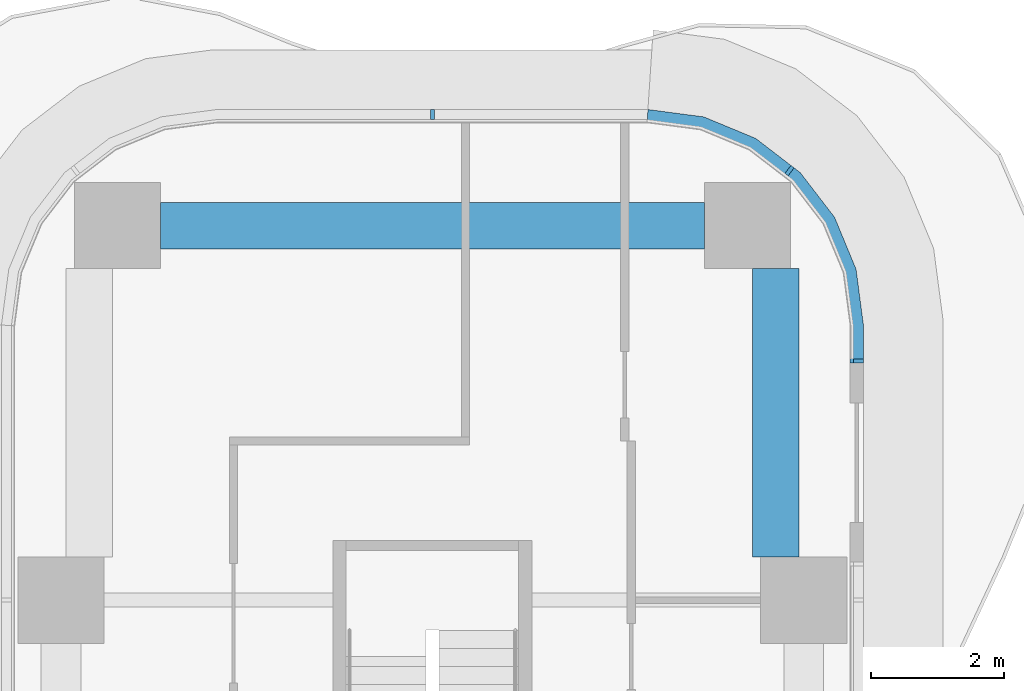
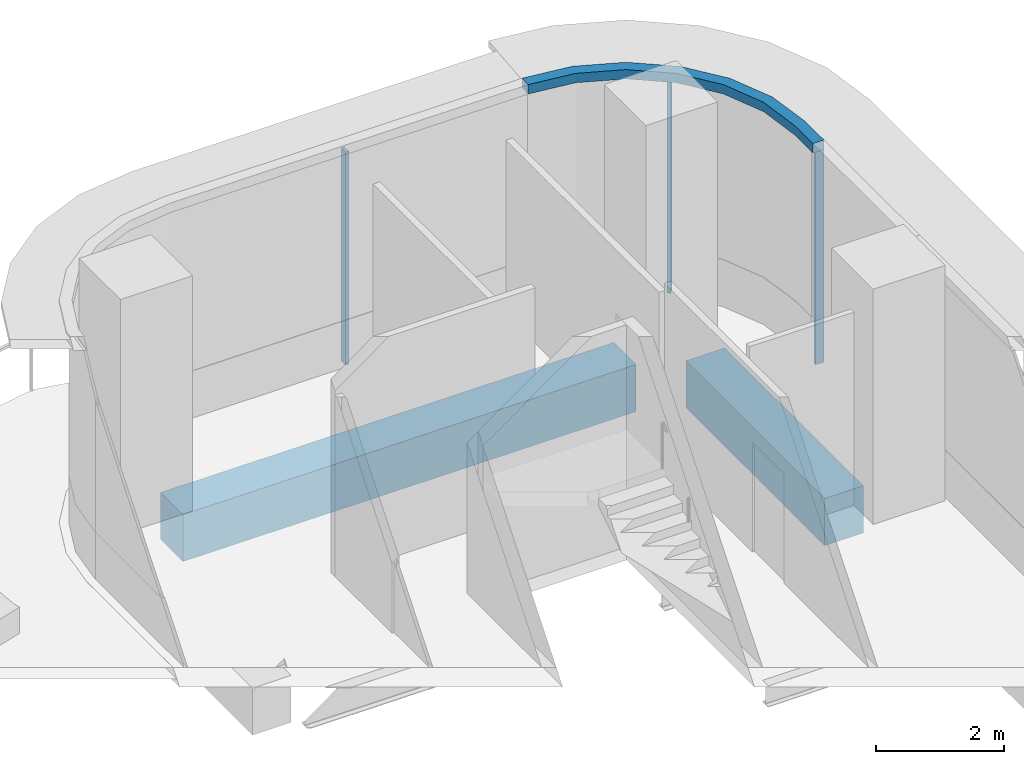
# One storey, part 11 of 20: 4 members, 2 beams, 2 elements without a shape of their own.
"""IFC4 building model written with IfcOpenShell, lengths in metres."""

from ifc_helpers import new_model, si_unit, direction, frame, origin, origin_2d, place, context, subcontext, project, spatial, polyline, rectangle, outline, extrude, source, transform, mapped, material, layer, layer_set, material_profile, profile_set, type_object, element, aggregate, save


model = new_model("IFC4")

# Units and contexts
model_context = context("Model", 3, precision=1e-05, world=origin(), true_north=direction((0.0, 1.0)))
body_context = subcontext(model_context, "Body", "Model", "MODEL_VIEW")
ifc_project = project(units=[si_unit("LENGTHUNIT", "METRE"), si_unit("AREAUNIT", "SQUARE_METRE"), si_unit("VOLUMEUNIT", "CUBIC_METRE"), si_unit("PLANEANGLEUNIT", "RADIAN"), si_unit("MASSUNIT", "GRAM", prefix="KILO")], contexts=[model_context])

# Site, building, storey
site_placement = place(None, origin())
site = spatial("IfcSite", under=ifc_project, at=site_placement, CompositionType="ELEMENT")
building_placement = place(site_placement, origin())
building = spatial("IfcBuilding", under=site, at=building_placement, Name="Trellis Farm Tower", CompositionType="ELEMENT")
storey_placement = place(building_placement, frame((0.0, 0.0, 129.0)))
storey = spatial("IfcBuildingStorey", under=building, at=storey_placement, Name="L27", CompositionType="ELEMENT", Elevation=129.0)

# Beams
ifc_material_1 = material(Name="Concrete C60/75", Category="concrete")
ifc_material_profile_1 = material_profile(ifc_material_1, rectangle(XDim=0.699951171875, YDim=0.89990234375, at=origin_2d()), Name="RC spandrel beam 700x900 C60/75")
ifc_profile_set_1 = profile_set([ifc_material_profile_1], Name="Concrete C60/75")
beam_type = type_object("IfcBeamType", Name="RC spandrel beam 700x900 C60/75", PredefinedType="SPANDREL", material=ifc_profile_set_1)
shared_shape_1 = source(origin(), body_context, "Body", "SweptSolid", [
    extrude(rectangle(XDim=0.699951171875, YDim=0.89990234375, at=origin_2d()), origin(), (0.0, 0.0, 1.0), 4.35009765625),
])
beam_1_placement = place(storey_placement, frame((5.175048828125, 19.25, -0.699951171875), z_axis=(0.0, 1.0, 0.0), x_axis=(-1.0, 0.0, 0.0)))
element("IfcBeam", 1, at=beam_1_placement, inside=storey, type_object=beam_type, Name="Girder", PredefinedType="SPANDREL", context=body_context, shape_type="MappedRepresentation", body=[
    mapped(shared_shape_1, transform((0.0, 0.0, 0.0))),
])
shared_shape_2 = source(origin(), body_context, "Body", "SweptSolid", [
    extrude(rectangle(XDim=0.699951171875, YDim=0.89990234375, at=origin_2d()), origin(), (0.0, 0.0, 1.0), 8.2001953125),
])
beam_2_placement = place(storey_placement, frame((-4.10009765625, 24.25, -0.699951171875), z_axis=(1.0, 0.0, 0.0), x_axis=(0.0, 1.0, 0.0)))
element("IfcBeam", 2, at=beam_2_placement, inside=storey, type_object=beam_type, Name="Girder", PredefinedType="SPANDREL", context=body_context, shape_type="MappedRepresentation", body=[
    mapped(shared_shape_2, transform((0.0, 0.0, 0.0))),
])

# Curtain wall, members
ifc_material_2 = material(Name="Aluminium and glass curtain wall", Category="aluminium")
ifc_layer_1 = layer(ifc_material_2, 0.18994140625)
ifc_layer_set_1 = layer_set([ifc_layer_1], Name="RIBBON CURTAIN WALL CW1")
curtain_wall_type = type_object("IfcCurtainWallType", Name="RIBBON CURTAIN WALL CW1", PredefinedType="NOTDEFINED", material=ifc_layer_set_1)
placement = place(storey_placement, origin())
curtain_wall_1 = element("IfcCurtainWall", 3, at=placement, inside=storey, type_object=curtain_wall_type, Name="CW1 009", PredefinedType="NOTDEFINED")
ifc_material_3 = material(Name="Aluminium extrusion 6063-T6", Category="aluminium")
ifc_material_profile_2 = material_profile(ifc_material_3, rectangle(XDim=0.06005859375, YDim=0.14990234375, at=origin_2d()), Name="MULLION 60x150")
ifc_profile_set_2 = profile_set([ifc_material_profile_2], Name="Aluminium extrusion 6063-T6")
member_type_1 = type_object("IfcMemberType", Name="CW1 MULLION 60x150", PredefinedType="MULLION", material=ifc_profile_set_2)
shared_shape_3 = source(origin(), body_context, "Body", "SweptSolid", [
    extrude(rectangle(XDim=0.06005859375, YDim=0.14990234375, at=origin_2d()), origin(), (0.0, 0.0, 1.0), 4.070068359375),
])
member_1_placement = place(storey_placement, frame((6.425048828125, 22.205078125, 0.0), z_axis=(0.0, 0.0, 1.0), x_axis=(0.0, 1.0, 0.0)))
member_1 = element("IfcMember", 4, at=member_1_placement, type_object=member_type_1, Name="MU1 009-01", PredefinedType="MULLION", context=body_context, shape_type="MappedRepresentation", body=[
    mapped(shared_shape_3, transform((0.0, 0.0, 0.0))),
])
member_2_placement = place(storey_placement, frame((5.385498046875, 25.078369140625, 0.0), z_axis=(0.0, 0.0, 1.0), x_axis=(-0.793353340291, 0.608761429009, 0.0)))
member_2 = element("IfcMember", 5, at=member_2_placement, type_object=member_type_1, Name="MU1 009-02", PredefinedType="MULLION", context=body_context, shape_type="MappedRepresentation", body=[
    mapped(shared_shape_3, transform((0.0, 0.0, 0.0))),
])

# Curtain wall, member
curtain_wall_2 = element("IfcCurtainWall", 6, at=placement, inside=storey, type_object=curtain_wall_type, Name="CW1 010", PredefinedType="NOTDEFINED")
member_3_placement = place(storey_placement, frame((0.0, 25.925048828125, 0.0), z_axis=(0.0, 0.0, 1.0), x_axis=(-1.0, 0.0, 0.0)))
member_3 = element("IfcMember", 7, at=member_3_placement, type_object=member_type_1, Name="MU1 010-01", PredefinedType="MULLION", context=body_context, shape_type="MappedRepresentation", body=[
    mapped(shared_shape_3, transform((0.0, 0.0, 0.0))),
])
aggregate(curtain_wall_2, [member_3])

# Member
ifc_layer_2 = layer(ifc_material_3, 0.199951171875)
ifc_layer_set_2 = layer_set([ifc_layer_2], Name="Aluminium extrusion 6063-T6")
member_type_2 = type_object("IfcMemberType", Name="CW1 TRANSOM 200x180", PredefinedType="USERDEFINED", material=ifc_layer_set_2)
shared_shape_4 = source(origin(), body_context, "Body", "SweptSolid", [
    extrude(outline(polyline([(6.5, 22.175048828125), (6.5, 22.75), (6.38916015625, 23.591064453125), (6.064697265625, 24.375), (5.548095703125, 25.048095703125), (4.875, 25.564697265625), (4.091064453125, 25.88916015625), (3.25, 26.0), (3.23681640625, 25.800048828125), (4.0390625, 25.6943359375), (4.774169921875, 25.389892578125), (5.405517578125, 24.905517578125), (5.889892578125, 24.274169921875), (6.1943359375, 23.5390625), (6.300048828125, 22.73681640625), (6.300048828125, 22.175048828125), (6.5, 22.175048828125)])), origin(), (0.0, 0.0, 1.0), 0.179931640625),
])
member_4_placement = place(storey_placement, frame((0.0, 0.0, 4.070068359375)))
member_4 = element("IfcMember", 8, at=member_4_placement, type_object=member_type_2, Name="TR1 009", ObjectType="TRANSOM", PredefinedType="USERDEFINED", context=body_context, shape_type="MappedRepresentation", body=[
    mapped(shared_shape_4, transform((0.0, 0.0, 0.0))),
])

aggregate(curtain_wall_1, [member_1, member_2, member_4])

save(model, "model.ifc")
